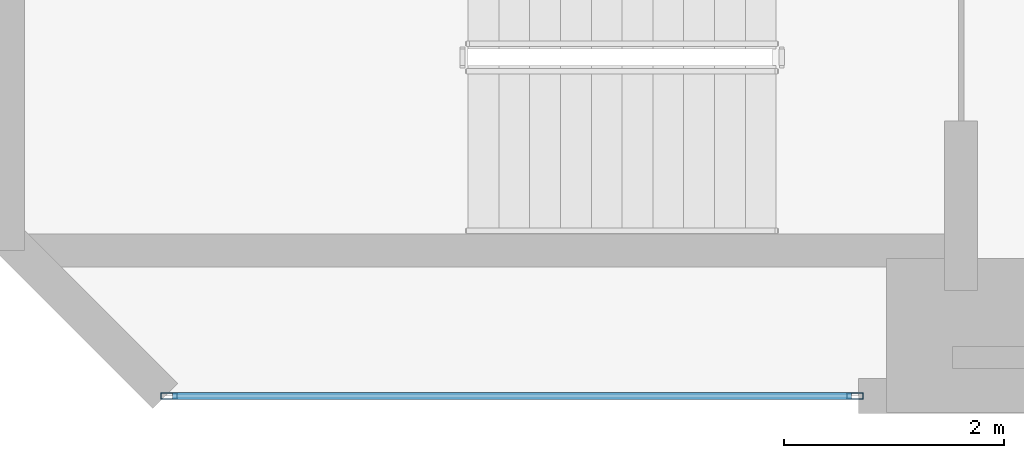
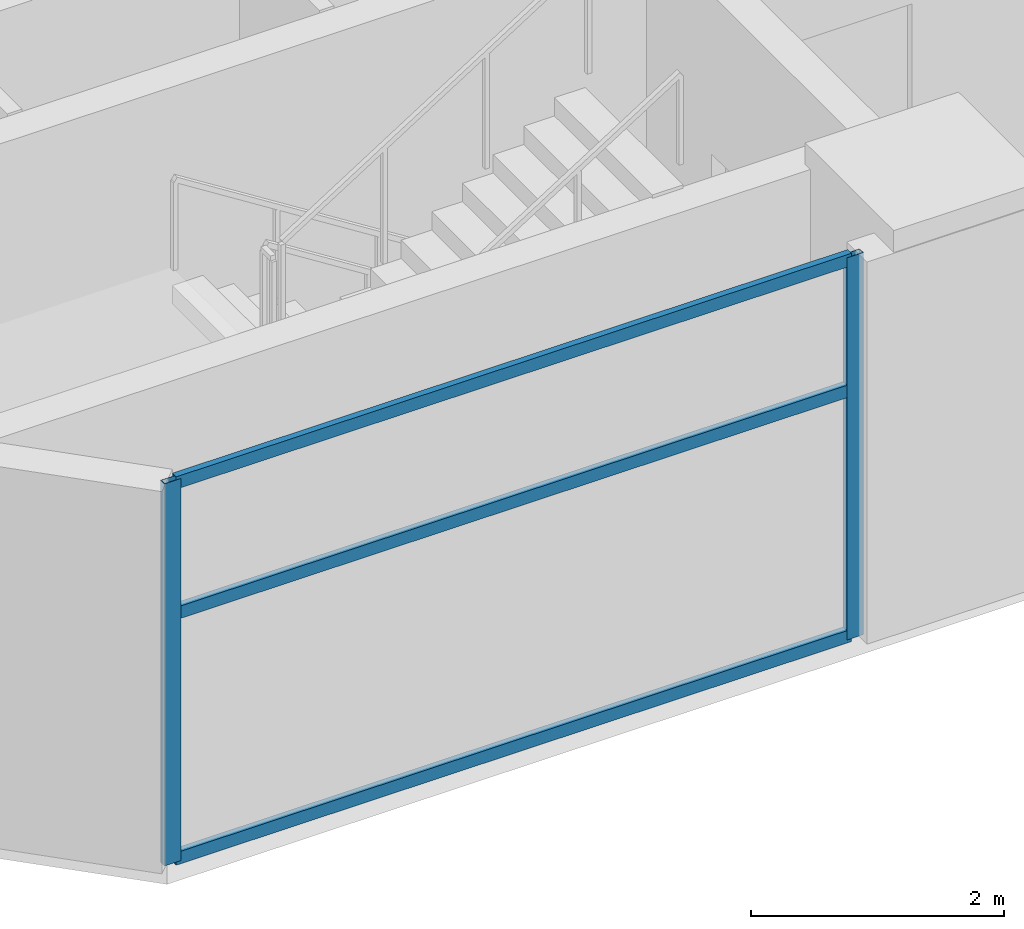
# One storey, part 2 of 16: 5 members, 1 element without a shape of its own.
"""IFC4 building model written with IfcOpenShell, lengths in metres."""

from ifc_helpers import new_model, si_unit, direction, frame, origin, origin_2d, place, context, subcontext, project, spatial, hollow_rectangle, extrude, material, layer, layer_set, material_profile, profile_set, type_object, element, aggregate, save


model = new_model("IFC4")

# Units and contexts
model_context = context("Model", 3, precision=1e-05, world=origin(), true_north=direction((0.0, 1.0)))
body_context = subcontext(model_context, "Body", "Model", "MODEL_VIEW")
ifc_project = project(units=[si_unit("LENGTHUNIT", "METRE"), si_unit("AREAUNIT", "SQUARE_METRE"), si_unit("VOLUMEUNIT", "CUBIC_METRE"), si_unit("PLANEANGLEUNIT", "RADIAN"), si_unit("MASSUNIT", "GRAM", prefix="KILO")], contexts=[model_context])

# Site, building, storey
site_placement = place(None, origin())
site = spatial("IfcSite", under=ifc_project, at=site_placement, CompositionType="ELEMENT")
building_placement = place(site_placement, origin())
building = spatial("IfcBuilding", under=site, at=building_placement, Name="Mawjaban Terraces University", CompositionType="ELEMENT")
storey_placement = place(building_placement, frame((0.0, 0.0, 54.39990234375)))
storey = spatial("IfcBuildingStorey", under=building, at=storey_placement, Name="L12", CompositionType="ELEMENT", Elevation=54.39990234375)

# Curtain wall, members
ifc_material_1 = material(Name="Anodised aluminium 6063-T6 and solar-control low-E glass", Category="aluminium")
ifc_layer = layer(ifc_material_1, 0.1650390625)
ifc_layer_set = layer_set([ifc_layer], Name="Anodised aluminium 6063-T6 and solar-control low-E glass")
curtain_wall_type = type_object("IfcCurtainWallType", Name="CWSystem_04_EastWing", PredefinedType="NOTDEFINED", material=ifc_layer_set)
curtain_wall_placement = place(storey_placement, origin())
curtain_wall = element("IfcCurtainWall", 1, at=curtain_wall_placement, inside=storey, type_object=curtain_wall_type, Name="L12 Curtain Wall CW-04 Run 1.1", PredefinedType="NOTDEFINED")
ifc_material_2 = material(Name="Anodised aluminium 6063-T6", Category="aluminium")
ifc_material_profile_1 = material_profile(ifc_material_2, hollow_rectangle(XDim=0.06005859375, YDim=0.14990234375, WallThickness=0.00390625, at=origin_2d()), Name="ALU150X60X4")
ifc_profile_set_1 = profile_set([ifc_material_profile_1], Name="Anodised aluminium 6063-T6")
member_type_1 = type_object("IfcMemberType", Name="Mullion_CW-04", PredefinedType="MULLION", material=ifc_profile_set_1)
member_1_placement = place(storey_placement, frame((24.532470703125, 0.0, 0.0), z_axis=(0.0, 0.0, 1.0), x_axis=(0.0, 1.0, 0.0)))
member_1 = element("IfcMember", 2, at=member_1_placement, type_object=member_type_1, Name="CW-04 mullion 1", PredefinedType="MULLION", context=body_context, shape_type="SweptSolid", body=[
    extrude(hollow_rectangle(XDim=0.06005859375, YDim=0.14990234375, WallThickness=0.00390625, at=origin_2d()), origin(), (0.0, 0.0, 1.0), 3.690185546875),
])
member_2_placement = place(storey_placement, frame((30.767578125, 0.0, 0.0), z_axis=(0.0, 0.0, 1.0), x_axis=(0.0, 1.0, 0.0)))
member_2 = element("IfcMember", 3, at=member_2_placement, type_object=member_type_1, Name="CW-04 mullion 2", PredefinedType="MULLION", context=body_context, shape_type="SweptSolid", body=[
    extrude(hollow_rectangle(XDim=0.06005859375, YDim=0.14990234375, WallThickness=0.00390625, at=origin_2d()), origin(), (0.0, 0.0, 1.0), 3.690185546875),
])
ifc_material_profile_2 = material_profile(ifc_material_2, hollow_rectangle(XDim=0.06005859375, YDim=0.1201171875, WallThickness=0.00341796875, at=origin_2d()), Name="ALU120X60X3.5")
ifc_profile_set_2 = profile_set([ifc_material_profile_2], Name="Anodised aluminium 6063-T6")
member_type_2 = type_object("IfcMemberType", Name="Transom_CW-04", PredefinedType="NOTDEFINED", material=ifc_profile_set_2)
member_3_placement = place(storey_placement, frame((24.56494140625, 0.0, 0.030029296875), z_axis=(1.0, 0.0, 0.0), x_axis=(0.0, 1.0, 0.0)))
member_3 = element("IfcMember", 4, at=member_3_placement, type_object=member_type_2, Name="CW-04 transom 1.1", ObjectType="TRANSOM", PredefinedType="USERDEFINED", context=body_context, shape_type="SweptSolid", body=[
    extrude(hollow_rectangle(XDim=0.06005859375, YDim=0.1201171875, WallThickness=0.00341796875, at=origin_2d()), origin(), (0.0, 0.0, 1.0), 6.170166015625),
])
member_4_placement = place(storey_placement, frame((24.56494140625, 0.0, 2.399169921875), z_axis=(1.0, 0.0, 0.0), x_axis=(0.0, 1.0, 0.0)))
member_4 = element("IfcMember", 5, at=member_4_placement, type_object=member_type_2, Name="CW-04 transom 1.2", ObjectType="TRANSOM", PredefinedType="USERDEFINED", context=body_context, shape_type="SweptSolid", body=[
    extrude(hollow_rectangle(XDim=0.06005859375, YDim=0.1201171875, WallThickness=0.00341796875, at=origin_2d()), origin(), (0.0, 0.0, 1.0), 6.170166015625),
])
member_5_placement = place(storey_placement, frame((24.56494140625, 0.0, 3.66015625), z_axis=(1.0, 0.0, 0.0), x_axis=(0.0, 1.0, 0.0)))
member_5 = element("IfcMember", 6, at=member_5_placement, type_object=member_type_2, Name="CW-04 transom 1.3", ObjectType="TRANSOM", PredefinedType="USERDEFINED", context=body_context, shape_type="SweptSolid", body=[
    extrude(hollow_rectangle(XDim=0.06005859375, YDim=0.1201171875, WallThickness=0.00341796875, at=origin_2d()), origin(), (0.0, 0.0, 1.0), 6.170166015625),
])
aggregate(curtain_wall, [member_1, member_2, member_3, member_4, member_5])

save(model, "model.ifc")
